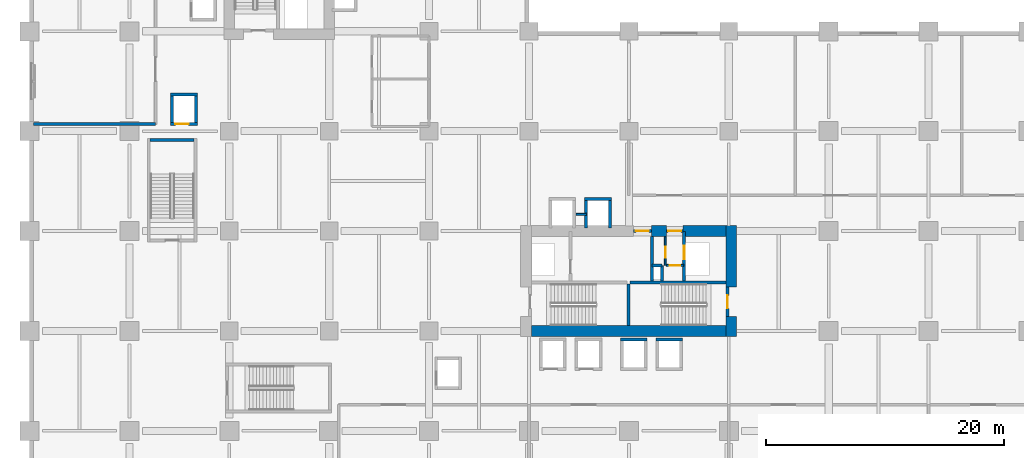
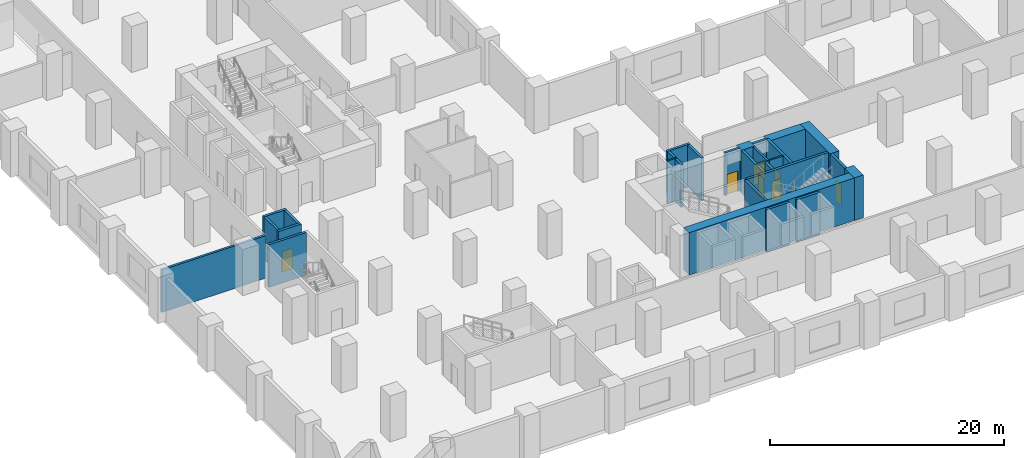
# One storey, part 11 of 22: 28 walls, 7 doors, 7 openings.
"""IFC4 building model written with IfcOpenShell, lengths in metres."""

from ifc_helpers import new_model, si_unit, direction, frame, frame_2d, origin, place, context, subcontext, project, spatial, rectangle, extrude, material, layer, layer_set, type_object, element, fill, save


model = new_model("IFC4")

# Units and contexts
model_context = context("Model", 3, precision=1e-05, world=origin(), true_north=direction((0.0, 1.0)))
body_context = subcontext(model_context, "Body", "Model", "MODEL_VIEW")
ifc_project = project(units=[si_unit("LENGTHUNIT", "METRE"), si_unit("AREAUNIT", "SQUARE_METRE"), si_unit("VOLUMEUNIT", "CUBIC_METRE"), si_unit("PLANEANGLEUNIT", "RADIAN"), si_unit("MASSUNIT", "GRAM", prefix="KILO")], contexts=[model_context])

# Site, building, storey
site_placement = place(None, origin())
site = spatial("IfcSite", under=ifc_project, at=site_placement, CompositionType="ELEMENT")
building_placement = place(site_placement, origin())
building = spatial("IfcBuilding", under=site, at=building_placement, Name="Koriwani Terraces Tower", CompositionType="ELEMENT")
storey_placement = place(building_placement, frame((0.0, 0.0, 6.0)))
storey = spatial("IfcBuildingStorey", under=building, at=storey_placement, Name="L01", CompositionType="ELEMENT", Elevation=6.0)

# Walls
ifc_material_1 = material(Name="Concrete C60/75", Category="concrete")
ifc_layer_1 = layer(ifc_material_1, 0.89990234375, Name="Concrete C60/75")
ifc_layer_set_1 = layer_set([ifc_layer_1], Name="Concrete C60/75")
wall_type_1 = type_object("IfcWallType", Name="WALL_CORE_RC_900", PredefinedType="SHEAR", material=ifc_layer_set_1)
wall_1_placement = place(storey_placement, frame((59.0, 16.35009765625, 0.0), z_axis=(0.0, 0.0, 1.0), x_axis=(0.0, 1.0, 0.0)))
element("IfcWall", 1, at=wall_1_placement, inside=storey, type_object=wall_type_1, Name="L01 East Split Core Shear Wall E1", PredefinedType="SHEAR", context=body_context, shape_type="SweptSolid", body=[
    extrude(rectangle(XDim=1.64990234375, YDim=0.89990234375, at=frame_2d((0.824951171875, 0.0))), origin(), (0.0, 0.0, 1.0), 4.449951171875),
])
wall_2_placement = place(storey_placement, frame((59.0, 20.5, 0.0), z_axis=(0.0, 0.0, 1.0), x_axis=(0.0, 1.0, 0.0)))
element("IfcWall", 2, at=wall_2_placement, inside=storey, type_object=wall_type_1, Name="L01 East Split Core Shear Wall E2", PredefinedType="SHEAR", context=body_context, shape_type="SweptSolid", body=[
    extrude(rectangle(XDim=5.14990234375, YDim=0.89990234375, at=frame_2d((2.574951171875, 0.0))), origin(), (0.0, 0.0, 1.0), 4.449951171875),
])
wall_3_placement = place(storey_placement, frame((42.199951171875, 16.800048828125, 0.0), z_axis=(0.0, 0.0, 1.0), x_axis=(1.0, 0.0, 0.0)))
element("IfcWall", 3, at=wall_3_placement, inside=storey, type_object=wall_type_1, Name="L01 East Split Core Shear Wall S1", PredefinedType="SHEAR", context=body_context, shape_type="SweptSolid", body=[
    extrude(rectangle(XDim=16.35009765625, YDim=0.89990234375, at=frame_2d((8.175048828125, 0.0))), origin(), (0.0, 0.0, 1.0), 4.449951171875),
])
wall_4_placement = place(storey_placement, frame((52.280029296875, 25.199951171875, 0.0), z_axis=(0.0, 0.0, 1.0), x_axis=(1.0, 0.0, 0.0)))
element("IfcWall", 4, at=wall_4_placement, inside=storey, type_object=wall_type_1, Name="L01 East Split Core Shear Wall N2", PredefinedType="SHEAR", context=body_context, shape_type="SweptSolid", body=[
    extrude(rectangle(XDim=1.27001953125, YDim=0.89990234375, at=frame_2d((0.635009765625, 0.0))), origin(), (0.0, 0.0, 1.0), 4.449951171875),
])
wall_5_placement = place(storey_placement, frame((54.949951171875, 25.199951171875, 0.0), z_axis=(0.0, 0.0, 1.0), x_axis=(1.0, 0.0, 0.0)))
element("IfcWall", 5, at=wall_5_placement, inside=storey, type_object=wall_type_1, Name="L01 East Split Core Shear Wall N3", PredefinedType="SHEAR", context=body_context, shape_type="SweptSolid", body=[
    extrude(rectangle(XDim=3.60009765625, YDim=0.89990234375, at=frame_2d((1.800048828125, 0.0))), origin(), (0.0, 0.0, 1.0), 4.449951171875),
])
ifc_material_2 = material(Name="Autoclaved Cellular Concrete Blockwork", Category="masonry")
ifc_layer_2 = layer(ifc_material_2, 0.219970703125, Name="Autoclaved Cellular Concrete Blockwork")
ifc_layer_set_2 = layer_set([ifc_layer_2], Name="Autoclaved Cellular Concrete Blockwork")
wall_type_2 = type_object("IfcWallType", Name="WALL_DEMISING_220", PredefinedType="PARTITIONING", material=ifc_layer_set_2)
wall_6_placement = place(storey_placement, frame((0.35009765625, 34.199951171875, 0.0), z_axis=(0.0, 0.0, 1.0), x_axis=(1.0, 0.0, 0.0)))
element("IfcWall", 6, at=wall_6_placement, inside=storey, type_object=wall_type_2, Name="L01 Interior Wall WPOD-WD-L01-0", PredefinedType="PARTITIONING", context=body_context, shape_type="SweptSolid", body=[
    extrude(rectangle(XDim=10.25, YDim=0.219970703125, at=frame_2d((5.125, 0.0))), origin(), (0.0, 0.0, 1.0), 4.449951171875),
])
ifc_material_3 = material(Name="Concrete C40/50", Category="concrete")
ifc_layer_3 = layer(ifc_material_3, 0.25, Name="Concrete C40/50")
ifc_layer_set_3 = layer_set([ifc_layer_3], Name="Concrete C40/50")
wall_type_3 = type_object("IfcWallType", Name="WALL_SHAFT_RATED_250", PredefinedType="SOLIDWALL", material=ifc_layer_set_3)
wall_7_placement = place(storey_placement, frame((50.5, 20.875, 0.0), z_axis=(0.0, 0.0, 1.0), x_axis=(1.0, 0.0, 0.0)))
element("IfcWall", 7, at=wall_7_placement, inside=storey, type_object=wall_type_3, Name="L01 East Split Core Web Wall MID2", PredefinedType="SOLIDWALL", context=body_context, shape_type="SweptSolid", body=[
    extrude(rectangle(XDim=8.050048828125, YDim=0.25, at=frame_2d((4.02490234375, 0.0))), origin(), (0.0, 0.0, 1.0), 4.449951171875),
])
wall_8_placement = place(storey_placement, frame((50.375, 17.25, 0.0), z_axis=(0.0, 0.0, 1.0), x_axis=(0.0, 1.0, 0.0)))
element("IfcWall", 8, at=wall_8_placement, inside=storey, type_object=wall_type_3, Name="L01 East Split Core Stair Dividing Wall", PredefinedType="SOLIDWALL", context=body_context, shape_type="SweptSolid", body=[
    extrude(rectangle(XDim=3.5, YDim=0.25, at=frame_2d((1.75, 0.0))), origin(), (0.0, 0.0, 1.0), 4.449951171875),
])
wall_9_placement = place(storey_placement, frame((10.14990234375, 32.875, 0.0), z_axis=(0.0, 0.0, 1.0), x_axis=(1.0, 0.0, 0.0)))
element("IfcWall", 9, at=wall_9_placement, inside=storey, type_object=wall_type_3, Name="L01 Podium Stair ST-P1 North Bearing Wall", PredefinedType="SOLIDWALL", context=body_context, shape_type="SweptSolid", body=[
    extrude(rectangle(XDim=3.7001953125, YDim=0.25, at=frame_2d((1.85009765625, 0.0))), origin(), (0.0, 0.0, 1.0), 4.449951171875),
])

# Wall, opening, door
wall_10_placement = place(storey_placement, frame((58.675048828125, 18.0, 0.0), z_axis=(0.0, 0.0, 1.0), x_axis=(0.0, 1.0, 0.0)))
wall_10 = element("IfcWall", 10, at=wall_10_placement, inside=storey, type_object=wall_type_3, Name="L01 Interior Wall WIN-CE-L01-STE", PredefinedType="SOLIDWALL", context=body_context, shape_type="SweptSolid", body=[
    extrude(rectangle(XDim=2.5, YDim=0.25, at=frame_2d((1.25, 0.0))), origin(), (0.0, 0.0, 1.0), 4.449951171875),
])
opening_1_placement = place(wall_10_placement, frame((0.699951171875, 0.0, 0.0)))
opening_1 = element("IfcOpeningElement", 11, at=opening_1_placement, cuts=wall_10, Name="Opening D-03", PredefinedType="OPENING", context=body_context, shape_type="SweptSolid", body=[
    extrude(rectangle(XDim=1.10009765625, YDim=2.14990234375, at=frame_2d((0.550048828125, 1.074951171875))), frame((0.0, 0.135009765625, 0.0), z_axis=(0.0, -1.0, 0.0), x_axis=(1.0, 0.0, 0.0)), (0.0, 0.0, 1.0), 0.27001953125),
])
ifc_material_4 = material(Name="Steel ASTM A572 Grade 50", Category="steel")
door_type_1 = type_object("IfcDoorType", Name="DOOR_STAIR_FIRE_1100X2150", OperationType="NOTDEFINED", PredefinedType="DOOR", material=ifc_material_4)
door_1_placement = place(opening_1_placement, origin())
door_1 = element("IfcDoor", 12, at=door_1_placement, inside=storey, type_object=door_type_1, Name="L01 Exit Stair ST-E2 Door", OperationType="SINGLE_SWING_RIGHT", OverallHeight=2.14990234375, OverallWidth=1.10009765625, PredefinedType="DOOR", context=body_context, shape_type="SweptSolid", body=[
    extrude(rectangle(XDim=1.10009765625, YDim=2.14990234375, at=frame_2d((0.550048828125, 1.074951171875))), frame((0.0, 0.02490234375, 0.0), z_axis=(0.0, -1.0, 0.0), x_axis=(1.0, 0.0, 0.0)), (0.0, 0.0, 1.0), 0.050048828125),
])
fill(opening_1, door_1)

wall_11_placement = place(storey_placement, frame((50.800048828125, 25.199951171875, 0.0), z_axis=(0.0, 0.0, 1.0), x_axis=(1.0, 0.0, 0.0)))
wall_11 = element("IfcWall", 13, at=wall_11_placement, inside=storey, type_object=wall_type_3, Name="L01 Interior Wall WIN-CE-L01-NP", PredefinedType="SOLIDWALL", context=body_context, shape_type="SweptSolid", body=[
    extrude(rectangle(XDim=1.47998046875, YDim=0.25, at=frame_2d((0.739990234375, 0.0))), origin(), (0.0, 0.0, 1.0), 4.449951171875),
])
opening_2_placement = place(wall_11_placement, frame((0.179931640625, 0.0, 0.0)))
opening_2 = element("IfcOpeningElement", 14, at=opening_2_placement, cuts=wall_11, Name="Opening D-03", PredefinedType="OPENING", context=body_context, shape_type="SweptSolid", body=[
    extrude(rectangle(XDim=1.10009765625, YDim=2.14990234375, at=frame_2d((0.550048828125, 1.074951171875))), frame((0.0, 0.135009765625, 0.0), z_axis=(0.0, -1.0, 0.0), x_axis=(1.0, 0.0, 0.0)), (0.0, 0.0, 1.0), 0.27001953125),
])
door_2_placement = place(opening_2_placement, origin())
door_2 = element("IfcDoor", 15, at=door_2_placement, inside=storey, type_object=door_type_1, Name="L01 East Firefighting Lobby Door", OperationType="SINGLE_SWING_LEFT", OverallHeight=2.14990234375, OverallWidth=1.10009765625, PredefinedType="DOOR", context=body_context, shape_type="SweptSolid", body=[
    extrude(rectangle(XDim=1.10009765625, YDim=2.14990234375, at=frame_2d((0.550048828125, 1.074951171875))), frame((0.0, 0.02490234375, 0.0), z_axis=(0.0, -1.0, 0.0), x_axis=(1.0, 0.0, 0.0)), (0.0, 0.0, 1.0), 0.050048828125),
])
fill(opening_2, door_2)

# Wall
wall_12_placement = place(storey_placement, frame((52.340087890625, 21.0, 0.0), z_axis=(0.0, 0.0, 1.0), x_axis=(0.0, 1.0, 0.0)))
element("IfcWall", 16, at=wall_12_placement, inside=storey, type_object=wall_type_3, Name="L01 Interior Wall WIN-CE-L01-FFE", PredefinedType="SOLIDWALL", context=body_context, shape_type="SweptSolid", body=[
    extrude(rectangle(XDim=3.75, YDim=0.25, at=frame_2d((1.875, 0.0))), origin(), (0.0, 0.0, 1.0), 4.449951171875),
])

# Wall, opening, door
wall_13_placement = place(storey_placement, frame((55.050048828125, 21.0, 0.0), z_axis=(0.0, 0.0, 1.0), x_axis=(0.0, 1.0, 0.0)))
wall_13 = element("IfcWall", 17, at=wall_13_placement, inside=storey, type_object=wall_type_3, Name="L01 Interior Wall WIN-CE-L01-SE", PredefinedType="SOLIDWALL", context=body_context, shape_type="SweptSolid", body=[
    extrude(rectangle(XDim=4.14990234375, YDim=0.25, at=frame_2d((2.074951171875, 0.0))), origin(), (0.0, 0.0, 1.0), 4.449951171875),
])
opening_3_placement = place(wall_13_placement, frame((1.85009765625, 0.0, 0.0)))
opening_3 = element("IfcOpeningElement", 18, at=opening_3_placement, cuts=wall_13, Name="Opening LD-01", PredefinedType="OPENING", context=body_context, shape_type="SweptSolid", body=[
    extrude(rectangle(XDim=1.10009765625, YDim=2.14990234375, at=frame_2d((0.550048828125, 1.074951171875))), frame((0.0, 0.135009765625, 0.0), z_axis=(0.0, -1.0, 0.0), x_axis=(1.0, 0.0, 0.0)), (0.0, 0.0, 1.0), 0.27001953125),
])
door_type_2 = type_object("IfcDoorType", Name="DOOR_LIFT_LANDING_1100X2200", OperationType="NOTDEFINED", PredefinedType="DOOR", material=ifc_material_4)
door_3_placement = place(opening_3_placement, origin())
door_3 = element("IfcDoor", 19, at=door_3_placement, inside=storey, type_object=door_type_2, Name="L01 Goods Lift SE-02 Landing Door", OperationType="SLIDING_TO_LEFT", OverallHeight=2.14990234375, OverallWidth=1.10009765625, PredefinedType="DOOR", context=body_context, shape_type="SweptSolid", body=[
    extrude(rectangle(XDim=1.10009765625, YDim=2.14990234375, at=frame_2d((0.550048828125, 1.074951171875))), frame((0.0, 0.02490234375, 0.0), z_axis=(0.0, -1.0, 0.0), x_axis=(1.0, 0.0, 0.0)), (0.0, 0.0, 1.0), 0.050048828125),
])
fill(opening_3, door_3)

wall_14_placement = place(storey_placement, frame((53.550048828125, 25.199951171875, 0.0), z_axis=(0.0, 0.0, 1.0), x_axis=(1.0, 0.0, 0.0)))
wall_14 = element("IfcWall", 20, at=wall_14_placement, inside=storey, type_object=wall_type_3, Name="L01 Interior Wall WIN-CE-L01-NP2", PredefinedType="SOLIDWALL", context=body_context, shape_type="SweptSolid", body=[
    extrude(rectangle(XDim=1.39990234375, YDim=0.25, at=frame_2d((0.699951171875, 0.0))), origin(), (0.0, 0.0, 1.0), 4.449951171875),
])
opening_4_placement = place(wall_14_placement, frame((0.14990234375, 0.0, 0.0)))
opening_4 = element("IfcOpeningElement", 21, at=opening_4_placement, cuts=wall_14, Name="Opening D-03", PredefinedType="OPENING", context=body_context, shape_type="SweptSolid", body=[
    extrude(rectangle(XDim=1.10009765625, YDim=2.14990234375, at=frame_2d((0.550048828125, 1.074951171875))), frame((0.0, 0.135009765625, 0.0), z_axis=(0.0, -1.0, 0.0), x_axis=(1.0, 0.0, 0.0)), (0.0, 0.0, 1.0), 0.27001953125),
])
door_4_placement = place(opening_4_placement, origin())
door_4 = element("IfcDoor", 22, at=door_4_placement, inside=storey, type_object=door_type_1, Name="L01 East Goods Lift Lobby Door", OperationType="SINGLE_SWING_RIGHT", OverallHeight=2.14990234375, OverallWidth=1.10009765625, PredefinedType="DOOR", context=body_context, shape_type="SweptSolid", body=[
    extrude(rectangle(XDim=1.10009765625, YDim=2.14990234375, at=frame_2d((0.550048828125, 1.074951171875))), frame((0.0, 0.02490234375, 0.0), z_axis=(0.0, -1.0, 0.0), x_axis=(1.0, 0.0, 0.0)), (0.0, 0.0, 1.0), 0.050048828125),
])
fill(opening_4, door_4)

# Walls
wall_15_placement = place(storey_placement, frame((53.199951171875, 21.0, 0.0), z_axis=(0.0, 0.0, 1.0), x_axis=(0.0, 1.0, 0.0)))
element("IfcWall", 23, at=wall_15_placement, inside=storey, type_object=wall_type_3, Name="L01 Interior Wall WIN-CE-L01-RS1", PredefinedType="SOLIDWALL", context=body_context, shape_type="SweptSolid", body=[
    extrude(rectangle(XDim=1.300048828125, YDim=0.25, at=frame_2d((0.64990234375, 0.0))), origin(), (0.0, 0.0, 1.0), 4.449951171875),
])
wall_16_placement = place(storey_placement, frame((52.360107421875, 22.300048828125, 0.0), z_axis=(0.0, 0.0, 1.0), x_axis=(1.0, 0.0, 0.0)))
element("IfcWall", 24, at=wall_16_placement, inside=storey, type_object=wall_type_3, Name="L01 Interior Wall WIN-CE-L01-RS2", PredefinedType="SOLIDWALL", context=body_context, shape_type="SweptSolid", body=[
    extrude(rectangle(XDim=0.83984375, YDim=0.25, at=frame_2d((0.419921875, 0.0))), origin(), (0.0, 0.0, 1.0), 4.449951171875),
])

# Wall, opening, door
wall_17_placement = place(storey_placement, frame((11.875, 34.199951171875, 0.0), z_axis=(0.0, 0.0, 1.0), x_axis=(1.0, 0.0, 0.0)))
wall_17 = element("IfcWall", 25, at=wall_17_placement, inside=storey, type_object=wall_type_3, Name="L01 Interior Wall WIN-LF-PE-P1-L01-F", PredefinedType="SOLIDWALL", context=body_context, shape_type="SweptSolid", body=[
    extrude(rectangle(XDim=2.25, YDim=0.25, at=frame_2d((1.125, 0.0))), origin(), (0.0, 0.0, 1.0), 4.449951171875),
])
opening_5_placement = place(wall_17_placement, frame((0.39990234375, 0.0, 0.0)))
opening_5 = element("IfcOpeningElement", 26, at=opening_5_placement, cuts=wall_17, Name="Opening LD-01", PredefinedType="OPENING", context=body_context, shape_type="SweptSolid", body=[
    extrude(rectangle(XDim=1.10009765625, YDim=2.14990234375, at=frame_2d((0.550048828125, 1.074951171875))), frame((0.0, 0.135009765625, 0.0), z_axis=(0.0, -1.0, 0.0), x_axis=(1.0, 0.0, 0.0)), (0.0, 0.0, 1.0), 0.27001953125),
])
door_5_placement = place(opening_5_placement, origin())
door_5 = element("IfcDoor", 27, at=door_5_placement, inside=storey, type_object=door_type_2, Name="L01 Passenger Lift PE-P1 Landing Door", OperationType="SLIDING_TO_LEFT", OverallHeight=2.14990234375, OverallWidth=1.10009765625, PredefinedType="DOOR", context=body_context, shape_type="SweptSolid", body=[
    extrude(rectangle(XDim=1.10009765625, YDim=2.14990234375, at=frame_2d((0.550048828125, 1.074951171875))), frame((0.0, 0.02490234375, 0.0), z_axis=(0.0, -1.0, 0.0), x_axis=(1.0, 0.0, 0.0)), (0.0, 0.0, 1.0), 0.050048828125),
])
fill(opening_5, door_5)

# Walls
for number, where, z_axis, x_axis, name in (
    (28, (11.875, 36.699951171875, 0.0), (0.0, 0.0, 1.0), (1.0, 0.0, 0.0), "L01 Interior Wall WIN-LF-PE-P1-L01-B"),
    (29, (12.0, 34.324951171875, 0.0), (0.0, 0.0, 1.0), (0.0, 1.0, 0.0), "L01 Interior Wall WIN-LF-PE-P1-L01-W"),
    (30, (14.0, 34.324951171875, 0.0), (0.0, 0.0, 1.0), (0.0, 1.0, 0.0), "L01 Interior Wall WIN-LF-PE-P1-L01-E"),
    (31, (49.675048828125, 16.10009765625, 0.0), (0.0, 0.0, 1.0), (1.0, 0.0, 0.0), "L01 Interior Wall WIN-LF-PE-M3-L01-B"),
    (32, (52.675048828125, 16.10009765625, 0.0), (0.0, 0.0, 1.0), (1.0, 0.0, 0.0), "L01 Interior Wall WIN-LF-PE-M4-L01-B"),
    (33, (46.675048828125, 27.89990234375, 0.0), (0.0, 0.0, 1.0), (1.0, 0.0, 0.0), "L01 Interior Wall WIN-LF-PE-H4-L01-F"),
):
    element("IfcWall", number, at=place(storey_placement, frame(where, z_axis=z_axis, x_axis=x_axis)), inside=storey, type_object=wall_type_3, Name=name, PredefinedType="SOLIDWALL", context=body_context, shape_type="SweptSolid", body=[
        extrude(rectangle(XDim=2.25, YDim=0.25, at=frame_2d((1.125, 0.0))), origin(), (0.0, 0.0, 1.0), 4.449951171875),
    ])
for number, where, z_axis, x_axis, name in (
    (34, (46.800048828125, 25.449951171875, 0.0), (0.0, 0.0, 1.0), (0.0, 1.0, 0.0), "L01 Interior Wall WIN-LF-PE-H4-L01-W"),
    (35, (48.800048828125, 25.449951171875, 0.0), (0.0, 0.0, 1.0), (0.0, 1.0, 0.0), "L01 Interior Wall WIN-LF-PE-H4-L01-E"),
):
    element("IfcWall", number, at=place(storey_placement, frame(where, z_axis=z_axis, x_axis=x_axis)), inside=storey, type_object=wall_type_3, Name=name, PredefinedType="SOLIDWALL", context=body_context, shape_type="SweptSolid", body=[
        extrude(rectangle(XDim=2.324951171875, YDim=0.25, at=frame_2d((1.16259765625, 0.0))), origin(), (0.0, 0.0, 1.0), 4.449951171875),
    ])

# Wall, opening, door
ifc_material_5 = material(Name="Fire-Rated Acoustic Gypsum Partition", Category="masonry")
ifc_layer_4 = layer(ifc_material_5, 0.159912109375, Name="Fire-Rated Acoustic Gypsum Partition")
ifc_layer_set_4 = layer_set([ifc_layer_4], Name="Fire-Rated Acoustic Gypsum Partition")
wall_type_4 = type_object("IfcWallType", Name="WALL_SUITE_160", PredefinedType="PARTITIONING", material=ifc_layer_set_4)
wall_18_placement = place(storey_placement, frame((53.56005859375, 22.320068359375, 0.0), z_axis=(0.0, 0.0, 1.0), x_axis=(1.0, 0.0, 0.0)))
wall_18 = element("IfcWall", 36, at=wall_18_placement, inside=storey, type_object=wall_type_4, Name="L01 Interior Wall WIN-CE-L01-SV1A", PredefinedType="PARTITIONING", context=body_context, shape_type="SweptSolid", body=[
    extrude(rectangle(XDim=1.43994140625, YDim=0.159912109375, at=frame_2d((0.719970703125, 0.0))), origin(), (0.0, 0.0, 1.0), 4.449951171875),
])
opening_6_placement = place(wall_18_placement, frame((0.260009765625, 0.0, 0.0)))
opening_6 = element("IfcOpeningElement", 37, at=opening_6_placement, cuts=wall_18, Name="Opening D-07", PredefinedType="OPENING", context=body_context, shape_type="SweptSolid", body=[
    extrude(rectangle(XDim=0.89990234375, YDim=2.10009765625, at=frame_2d((0.449951171875, 1.050048828125))), frame((0.0, 0.08984375, 0.0), z_axis=(0.0, -1.0, 0.0), x_axis=(1.0, 0.0, 0.0)), (0.0, 0.0, 1.0), 0.179931640625),
])
ifc_material_6 = material(Name="Architectural Oak Fire Door", Category="wood")
door_type_3 = type_object("IfcDoorType", Name="DOOR_BATH_INT_900X2100", OperationType="NOTDEFINED", PredefinedType="DOOR", material=ifc_material_6)
door_6_placement = place(opening_6_placement, origin())
door_6 = element("IfcDoor", 38, at=door_6_placement, inside=storey, type_object=door_type_3, Name="L01 East Telecom Room Door", OperationType="SINGLE_SWING_LEFT", OverallHeight=2.10009765625, OverallWidth=0.89990234375, PredefinedType="DOOR", context=body_context, shape_type="SweptSolid", body=[
    extrude(rectangle(XDim=0.89990234375, YDim=2.10009765625, at=frame_2d((0.449951171875, 1.050048828125))), frame((0.0, 0.02490234375, 0.0), z_axis=(0.0, -1.0, 0.0), x_axis=(1.0, 0.0, 0.0)), (0.0, 0.0, 1.0), 0.050048828125),
])
fill(opening_6, door_6)

wall_19_placement = place(storey_placement, frame((53.4599609375, 22.320068359375, 0.0), z_axis=(0.0, 0.0, 1.0), x_axis=(0.0, 1.0, 0.0)))
wall_19 = element("IfcWall", 39, at=wall_19_placement, inside=storey, type_object=wall_type_4, Name="L01 Interior Wall WIN-CE-L01-SV1B", PredefinedType="PARTITIONING", context=body_context, shape_type="SweptSolid", body=[
    extrude(rectangle(XDim=2.39990234375, YDim=0.159912109375, at=frame_2d((1.199951171875, 0.0))), origin(), (0.0, 0.0, 1.0), 4.449951171875),
])
opening_7_placement = place(wall_19_placement, frame((0.64990234375, 0.0, 0.0)))
opening_7 = element("IfcOpeningElement", 40, at=opening_7_placement, cuts=wall_19, Name="Opening D-07", PredefinedType="OPENING", context=body_context, shape_type="SweptSolid", body=[
    extrude(rectangle(XDim=0.89990234375, YDim=2.10009765625, at=frame_2d((0.449951171875, 1.050048828125))), frame((0.0, 0.08984375, 0.0), z_axis=(0.0, -1.0, 0.0), x_axis=(1.0, 0.0, 0.0)), (0.0, 0.0, 1.0), 0.179931640625),
])
door_7_placement = place(opening_7_placement, origin())
door_7 = element("IfcDoor", 41, at=door_7_placement, inside=storey, type_object=door_type_3, Name="L01 East Cleaners Closet Door", OperationType="SINGLE_SWING_RIGHT", OverallHeight=2.10009765625, OverallWidth=0.89990234375, PredefinedType="DOOR", context=body_context, shape_type="SweptSolid", body=[
    extrude(rectangle(XDim=0.89990234375, YDim=2.10009765625, at=frame_2d((0.449951171875, 1.050048828125))), frame((0.0, 0.02490234375, 0.0), z_axis=(0.0, -1.0, 0.0), x_axis=(1.0, 0.0, 0.0)), (0.0, 0.0, 1.0), 0.050048828125),
])
fill(opening_7, door_7)

# Wall
wall_20_placement = place(storey_placement, frame((45.9599609375, 26.60009765625, 0.0), z_axis=(0.0, 0.0, 1.0), x_axis=(1.0, 0.0, 0.0)))
element("IfcWall", 42, at=wall_20_placement, inside=storey, type_object=wall_type_4, Name="L01 Interior Wall WIN-LF-PEH34-MID-L01", PredefinedType="PARTITIONING", context=body_context, shape_type="SweptSolid", body=[
    extrude(rectangle(XDim=0.880126953125, YDim=0.159912109375, at=frame_2d((0.43994140625, 0.0))), origin(), (0.0, 0.0, 1.0), 4.449951171875),
])

save(model, "model.ifc")
